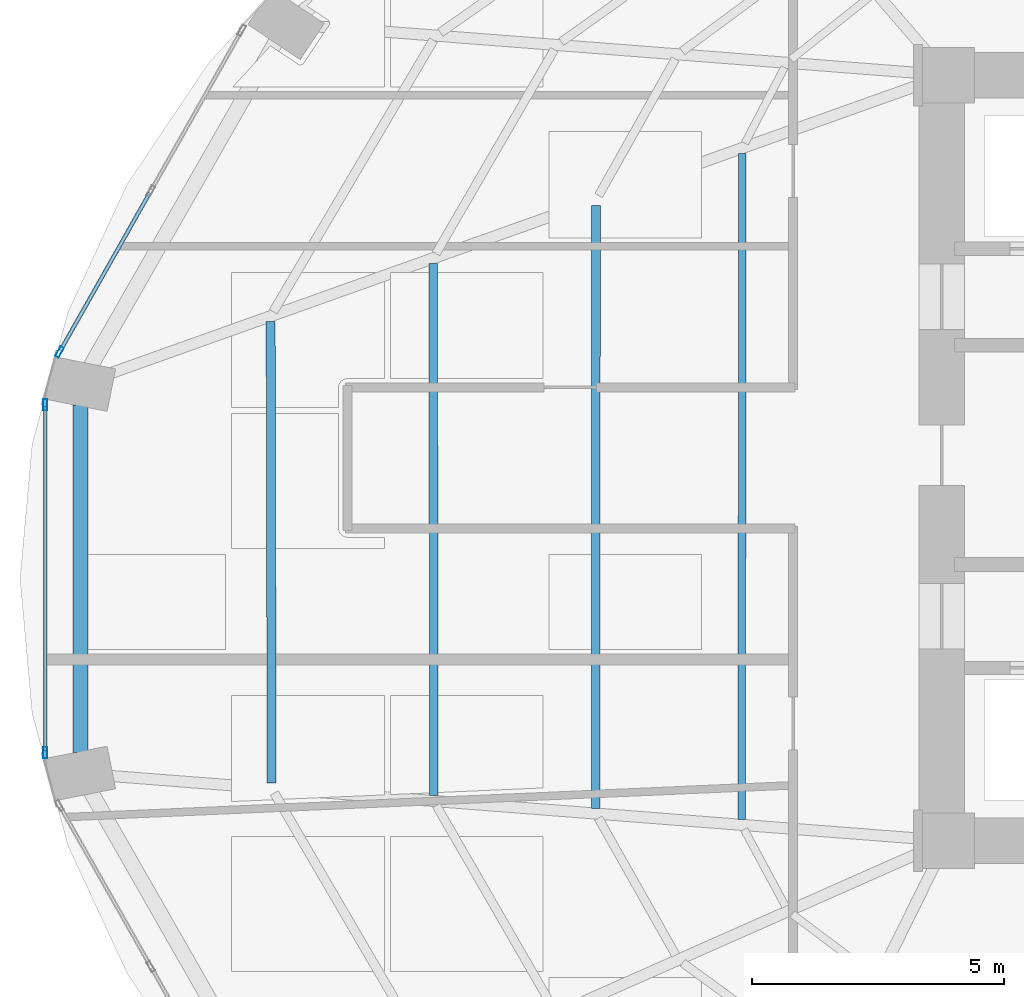
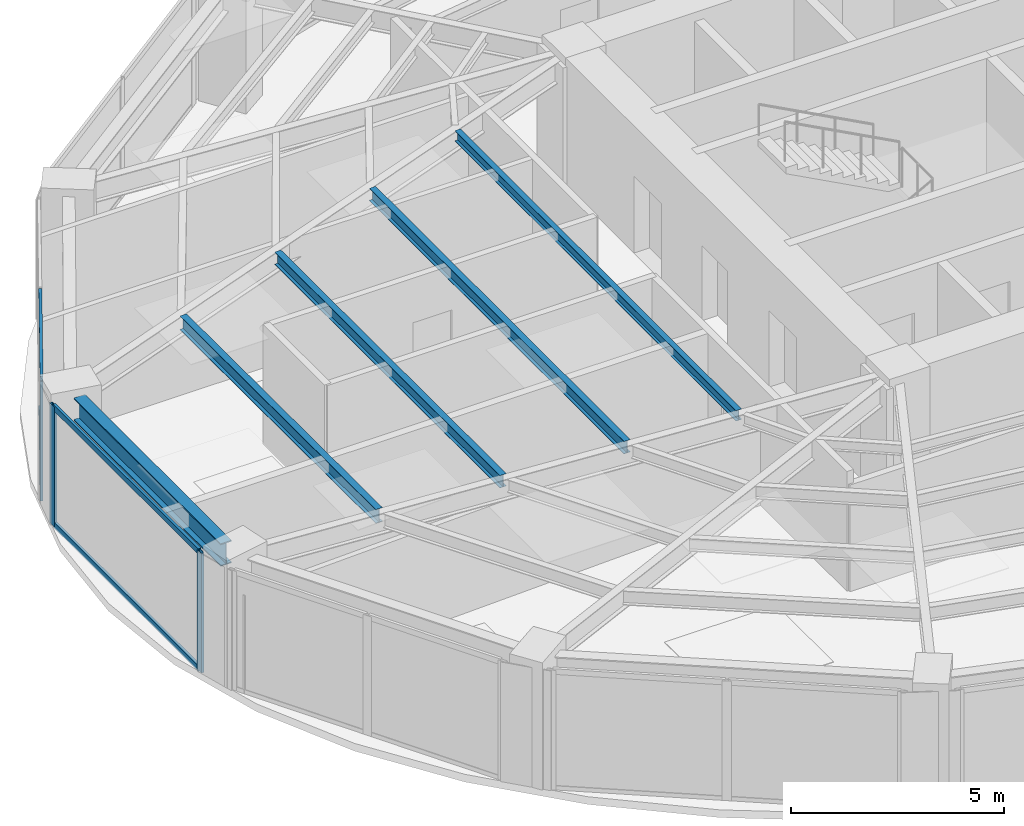
# One storey, part 8 of 25: 7 members, 5 beams, 2 elements without a shape of their own.
"""IFC4 building model written with IfcOpenShell, lengths in metres."""

from ifc_helpers import new_model, si_unit, direction, frame, origin, origin_2d, place, context, subcontext, project, spatial, hollow_rectangle, i_section, extrude, material, layer, layer_set, material_profile, profile_set, type_object, element, aggregate, save


model = new_model("IFC4")

# Units and contexts
model_context = context("Model", 3, precision=1e-05, world=origin(), true_north=direction((0.0, 1.0)))
body_context = subcontext(model_context, "Body", "Model", "MODEL_VIEW")
ifc_project = project(units=[si_unit("LENGTHUNIT", "METRE"), si_unit("AREAUNIT", "SQUARE_METRE"), si_unit("VOLUMEUNIT", "CUBIC_METRE"), si_unit("PLANEANGLEUNIT", "RADIAN"), si_unit("MASSUNIT", "GRAM", prefix="KILO")], contexts=[model_context])

# Site, building, storey
site_placement = place(None, origin())
site = spatial("IfcSite", under=ifc_project, at=site_placement, CompositionType="ELEMENT")
building_placement = place(site_placement, origin())
building = spatial("IfcBuilding", under=site, at=building_placement, Name="Lazwardi Medical Tower", CompositionType="ELEMENT")
storey_placement = place(building_placement, frame((0.0, 0.0, 43.43994140625)))
storey = spatial("IfcBuildingStorey", under=building, at=storey_placement, Name="L10", CompositionType="ELEMENT", Elevation=43.43994140625)

# Beams
ifc_material_1 = material(Name="Steel S355", Category="steel")
ifc_material_profile_1 = material_profile(ifc_material_1, i_section(OverallWidth=0.300048828125, OverallDepth=0.64990234375, WebThickness=0.01611328125, FlangeThickness=0.031005859375, at=origin_2d()), Name="HEB 650")
ifc_profile_set_1 = profile_set([ifc_material_profile_1], Name="Steel S355")
beam_type_1 = type_object("IfcBeamType", Name="BM-RB-Z1", PredefinedType="BEAM", material=ifc_profile_set_1)
beam_1_placement = place(storey_placement, frame((9.199951171875, 29.047607421875, 3.10302734375), z_axis=(0.0, -1.0, 0.0), x_axis=(1.0, 0.0, 0.0)))
element("IfcBeam", 1, at=beam_1_placement, inside=storey, type_object=beam_type_1, Name="Ring beam RB-02 B12 L10", PredefinedType="BEAM", context=body_context, shape_type="SweptSolid", body=[
    extrude(i_section(OverallWidth=0.300048828125, OverallDepth=0.64990234375, WebThickness=0.01611328125, FlangeThickness=0.031005859375, at=origin_2d()), origin(), (0.0, 0.0, 1.0), 6.895263671875),
])
ifc_material_profile_2 = material_profile(ifc_material_1, i_section(OverallWidth=0.179931640625, OverallDepth=0.39990234375, WebThickness=0.008544921875, FlangeThickness=0.013427734375, at=origin_2d()), Name="IPE 400")
ifc_profile_set_2 = profile_set([ifc_material_profile_2], Name="Steel S355")
beam_type_2 = type_object("IfcBeamType", Name="BM-SJ-01", PredefinedType="JOIST", material=ifc_profile_set_2)
beam_2_placement = place(storey_placement, frame((12.9765625, 30.708984375, 3.22802734375), z_axis=(0.002077613181, -0.999997841759, 0.0), x_axis=(0.999997841759, 0.002077613181, 0.0)))
element("IfcBeam", 2, at=beam_2_placement, inside=storey, type_object=beam_type_2, Name="Secondary joist SJ-01 R1 B12 L10", PredefinedType="JOIST", context=body_context, shape_type="SweptSolid", body=[
    extrude(i_section(OverallWidth=0.179931640625, OverallDepth=0.39990234375, WebThickness=0.008544921875, FlangeThickness=0.013427734375, at=origin_2d()), origin(), (0.0, 0.0, 1.0), 9.165771484375),
])
ifc_material_profile_3 = material_profile(ifc_material_1, i_section(OverallWidth=0.169921875, OverallDepth=0.360107421875, WebThickness=0.008056640625, FlangeThickness=0.0126953125, at=origin_2d()), Name="IPE 360")
ifc_profile_set_3 = profile_set([ifc_material_profile_3], Name="Steel S355")
beam_type_3 = type_object("IfcBeamType", Name="BM-SJ-02", PredefinedType="JOIST", material=ifc_profile_set_3)
beam_3_placement = place(storey_placement, frame((16.206298828125, 31.860595703125, 3.248046875), z_axis=(0.000670039821, -0.999999775523, 0.0), x_axis=(0.999999775523, 0.000670039821, 0.0)))
element("IfcBeam", 3, at=beam_3_placement, inside=storey, type_object=beam_type_3, Name="Secondary joist SJ-02 R2 B12 L10", PredefinedType="JOIST", context=body_context, shape_type="SweptSolid", body=[
    extrude(i_section(OverallWidth=0.169921875, OverallDepth=0.360107421875, WebThickness=0.008056640625, FlangeThickness=0.0126953125, at=origin_2d()), origin(), (0.0, 0.0, 1.0), 10.566650390625),
])
beam_4_placement = place(storey_placement, frame((19.43603515625, 33.01220703125, 3.248046875), z_axis=(-0.000387612685, -0.999999924878, 0.0), x_axis=(0.999999924878, -0.000387612685, 0.0)))
element("IfcBeam", 4, at=beam_4_placement, inside=storey, type_object=beam_type_3, Name="Secondary joist SJ-02 R3 B12 L10", PredefinedType="JOIST", context=body_context, shape_type="SweptSolid", body=[
    extrude(i_section(OverallWidth=0.169921875, OverallDepth=0.360107421875, WebThickness=0.008056640625, FlangeThickness=0.0126953125, at=origin_2d()), origin(), (0.0, 0.0, 1.0), 11.96728515625),
])
ifc_material_profile_4 = material_profile(ifc_material_1, i_section(OverallWidth=0.14990234375, OverallDepth=0.300048828125, WebThickness=0.007080078125, FlangeThickness=0.0107421875, at=origin_2d()), Name="IPE 300")
ifc_profile_set_4 = profile_set([ifc_material_profile_4], Name="Steel S355")
beam_type_4 = type_object("IfcBeamType", Name="BM-SJ-03", PredefinedType="JOIST", material=ifc_profile_set_4)
beam_5_placement = place(storey_placement, frame((22.343017578125, 34.048583984375, 3.278076171875), z_axis=(-0.001181203266, -0.999999302379, 0.0), x_axis=(0.999999302379, -0.001181203266, 0.0)))
element("IfcBeam", 5, at=beam_5_placement, inside=storey, type_object=beam_type_4, Name="Secondary joist SJ-03 R4 B12 L10", PredefinedType="JOIST", context=body_context, shape_type="SweptSolid", body=[
    extrude(i_section(OverallWidth=0.14990234375, OverallDepth=0.300048828125, WebThickness=0.007080078125, FlangeThickness=0.0107421875, at=origin_2d()), origin(), (0.0, 0.0, 1.0), 13.22802734375),
])

# Curtain wall, member
ifc_material_2 = material(Name="Anodised bronze aluminium and solar control glazing", Category="aluminium")
ifc_layer = layer(ifc_material_2, 0.199951171875)
ifc_layer_set = layer_set([ifc_layer], Name="Anodised bronze aluminium and solar control glazing")
curtain_wall_type = type_object("IfcCurtainWallType", Name="CW-SYS-02", PredefinedType="NOTDEFINED", material=ifc_layer_set)
curtain_wall_1_placement = place(storey_placement, origin())
curtain_wall_1 = element("IfcCurtainWall", 6, at=curtain_wall_1_placement, inside=storey, type_object=curtain_wall_type, Name="L10 Unitised bronze curtain wall CW-02", PredefinedType="NOTDEFINED")
ifc_material_3 = material(Name="Anodised bronze aluminium", Category="aluminium")
ifc_material_profile_5 = material_profile(ifc_material_3, hollow_rectangle(XDim=0.074951171875, YDim=0.219970703125, WallThickness=0.00390625, at=origin_2d()), Name="ALU-MULLION 220x75x4")
ifc_profile_set_5 = profile_set([ifc_material_profile_5], Name="Anodised bronze aluminium")
member_type_1 = type_object("IfcMemberType", Name="CW-MUL-01", PredefinedType="MULLION", material=ifc_profile_set_5)
member_1_placement = place(storey_placement, frame((8.785888671875, 30.102294921875, 0.0), z_axis=(0.0, 0.0, 1.0), x_axis=(0.870111838823, -0.492854327303, 0.0)))
member_1 = element("IfcMember", 7, at=member_1_placement, type_object=member_type_1, Name="CW-02 mullion 3", PredefinedType="MULLION", context=body_context, shape_type="SweptSolid", body=[
    extrude(hollow_rectangle(XDim=0.074951171875, YDim=0.219970703125, WallThickness=0.00390625, at=origin_2d()), origin(), (0.0, 0.0, 1.0), 3.427978515625),
])

# Curtain wall, members
curtain_wall_2_placement = place(storey_placement, origin())
curtain_wall_2 = element("IfcCurtainWall", 8, at=curtain_wall_2_placement, inside=storey, type_object=curtain_wall_type, Name="L10 Unitised bronze curtain wall CW-02", PredefinedType="NOTDEFINED")
member_2_placement = place(storey_placement, frame((8.50146484375, 29.053955078125, 0.0), z_axis=(0.0, 0.0, 1.0), x_axis=(1.0, 0.0, 0.0)))
member_2 = element("IfcMember", 9, at=member_2_placement, type_object=member_type_1, Name="CW-02 mullion 1", PredefinedType="MULLION", context=body_context, shape_type="SweptSolid", body=[
    extrude(hollow_rectangle(XDim=0.074951171875, YDim=0.219970703125, WallThickness=0.00390625, at=origin_2d()), origin(), (0.0, 0.0, 1.0), 3.427978515625),
])
member_3_placement = place(storey_placement, frame((8.50146484375, 22.14599609375, 0.0), z_axis=(0.0, 0.0, 1.0), x_axis=(1.0, 0.0, 0.0)))
member_3 = element("IfcMember", 10, at=member_3_placement, type_object=member_type_1, Name="CW-02 mullion 2", PredefinedType="MULLION", context=body_context, shape_type="SweptSolid", body=[
    extrude(hollow_rectangle(XDim=0.074951171875, YDim=0.219970703125, WallThickness=0.00390625, at=origin_2d()), origin(), (0.0, 0.0, 1.0), 3.427978515625),
])

# Member
ifc_material_profile_6 = material_profile(ifc_material_3, hollow_rectangle(XDim=0.074951171875, YDim=0.159912109375, WallThickness=0.00390625, at=origin_2d()), Name="ALU-TRANSOM 160x75x4")
ifc_profile_set_6 = profile_set([ifc_material_profile_6], Name="Anodised bronze aluminium")
member_type_2 = type_object("IfcMemberType", Name="CW-TRN-01", PredefinedType="USERDEFINED", material=ifc_profile_set_6)
member_4_placement = place(storey_placement, frame((10.576171875, 33.262939453125, 0.03759765625), z_axis=(-0.49285148925, -0.870113446365, 0.0), x_axis=(0.870113446365, -0.49285148925, 0.0)))
member_4 = element("IfcMember", 11, at=member_4_placement, type_object=member_type_2, Name="CW-02 transom 2.1", ObjectType="TRANSOM", PredefinedType="USERDEFINED", context=body_context, shape_type="SweptSolid", body=[
    extrude(hollow_rectangle(XDim=0.074951171875, YDim=0.159912109375, WallThickness=0.00390625, at=origin_2d()), origin(), (0.0, 0.0, 1.0), 3.594970703125),
])

member_5_placement = place(storey_placement, frame((10.576171875, 33.262939453125, 3.390625), z_axis=(-0.49285148925, -0.870113446365, 0.0), x_axis=(0.870113446365, -0.49285148925, 0.0)))
member_5 = element("IfcMember", 12, at=member_5_placement, type_object=member_type_2, Name="CW-02 transom 2.2", ObjectType="TRANSOM", PredefinedType="USERDEFINED", context=body_context, shape_type="SweptSolid", body=[
    extrude(hollow_rectangle(XDim=0.074951171875, YDim=0.159912109375, WallThickness=0.00390625, at=origin_2d()), origin(), (0.0, 0.0, 1.0), 3.594970703125),
])

aggregate(curtain_wall_1, [member_1, member_4, member_5])

member_6_placement = place(storey_placement, frame((8.50146484375, 29.0166015625, 0.03759765625), z_axis=(0.0, -1.0, 0.0), x_axis=(1.0, 0.0, 0.0)))
member_6 = element("IfcMember", 13, at=member_6_placement, type_object=member_type_2, Name="CW-02 transom 1.1", ObjectType="TRANSOM", PredefinedType="USERDEFINED", context=body_context, shape_type="SweptSolid", body=[
    extrude(hollow_rectangle(XDim=0.074951171875, YDim=0.159912109375, WallThickness=0.00390625, at=origin_2d()), origin(), (0.0, 0.0, 1.0), 6.8330078125),
])

member_7_placement = place(storey_placement, frame((8.50146484375, 29.0166015625, 3.390625), z_axis=(0.0, -1.0, 0.0), x_axis=(1.0, 0.0, 0.0)))
member_7 = element("IfcMember", 14, at=member_7_placement, type_object=member_type_2, Name="CW-02 transom 1.2", ObjectType="TRANSOM", PredefinedType="USERDEFINED", context=body_context, shape_type="SweptSolid", body=[
    extrude(hollow_rectangle(XDim=0.074951171875, YDim=0.159912109375, WallThickness=0.00390625, at=origin_2d()), origin(), (0.0, 0.0, 1.0), 6.8330078125),
])

aggregate(curtain_wall_2, [member_2, member_3, member_6, member_7])

save(model, "model.ifc")
